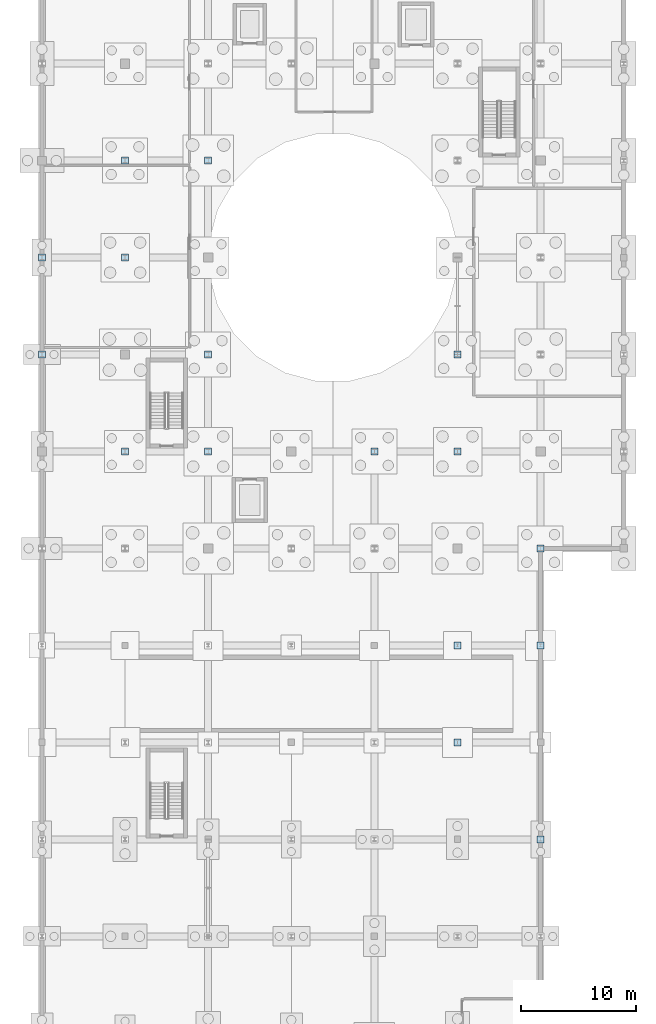
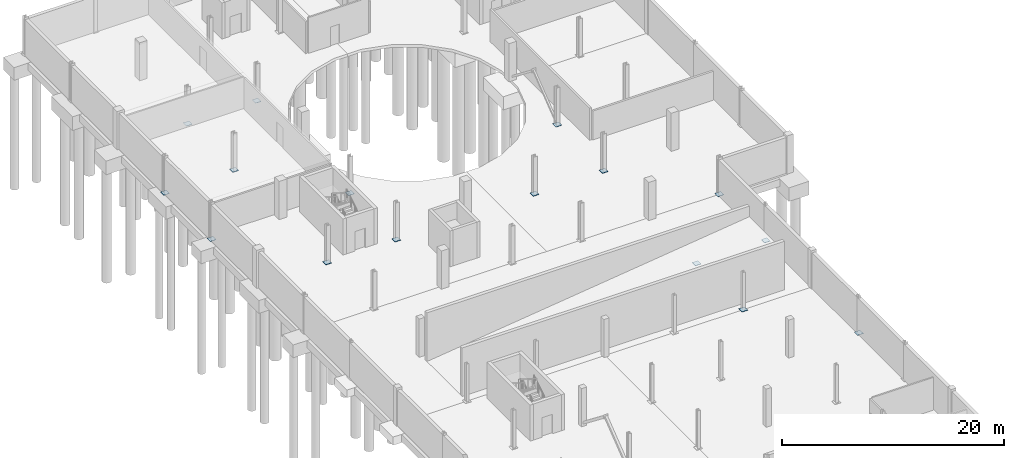
# One storey, part 19 of 32: 16 plates.
"""IFC4 building model written with IfcOpenShell, lengths in metres."""

from ifc_helpers import new_model, si_unit, direction, frame, origin, origin_2d, place, context, subcontext, project, spatial, rectangle, extrude, material, layer, layer_set, type_object, element, save


model = new_model("IFC4")

# Units and contexts
model_context = context("Model", 3, precision=1e-05, world=origin(), true_north=direction((0.0, 1.0)))
body_context = subcontext(model_context, "Body", "Model", "MODEL_VIEW")
ifc_project = project(units=[si_unit("LENGTHUNIT", "METRE"), si_unit("AREAUNIT", "SQUARE_METRE"), si_unit("VOLUMEUNIT", "CUBIC_METRE"), si_unit("PLANEANGLEUNIT", "RADIAN"), si_unit("MASSUNIT", "GRAM", prefix="KILO")], contexts=[model_context])

# Site, building, storey
site_placement = place(None, origin())
site = spatial("IfcSite", under=ifc_project, at=site_placement, CompositionType="ELEMENT")
building_placement = place(site_placement, origin())
building = spatial("IfcBuilding", under=site, at=building_placement, Name="Qelthora Terrace Specialist Clinic", CompositionType="ELEMENT")
storey_placement = place(building_placement, frame((0.0, 0.0, -4.199951171875)))
storey = spatial("IfcBuildingStorey", under=building, at=storey_placement, Name="B1", CompositionType="ELEMENT", Elevation=-4.199951171875)

# Plates
ifc_material = material(Name="Steel S355", Category="steel")
ifc_layer = layer(ifc_material, 0.030029296875)
ifc_layer_set = layer_set([ifc_layer], Name="Steel S355")
plate_type = type_object("IfcPlateType", Name="PLT-BASE-600X600X30", PredefinedType="USERDEFINED", material=ifc_layer_set)
for number, where, z_axis, x_axis, name in (
    (1, (0.0, 75.60009765625, 0.0), (0.0, 0.0, 1.0), (1.0, 0.0, 0.0), "Steel column base plate BPLT-007"),
    (2, (0.0, 84.0, 0.0), (0.0, 0.0, 1.0), (1.0, 0.0, 0.0), "Steel column base plate BPLT-008"),
    (3, (7.199951171875, 67.199951171875, 0.0), (0.0, 0.0, 1.0), (1.0, 0.0, 0.0), "Steel column base plate BPLT-016"),
    (4, (7.199951171875, 84.0, 0.0), (0.0, 0.0, 1.0), (1.0, 0.0, 0.0), "Steel column base plate BPLT-017"),
    (5, (7.199951171875, 92.39990234375, 0.0), (0.0, 0.0, 1.0), (1.0, 0.0, 0.0), "Steel column base plate BPLT-018"),
    (6, (14.39990234375, 67.199951171875, 0.0), (0.0, 0.0, 1.0), (1.0, 0.0, 0.0), "Steel column base plate BPLT-025"),
    (7, (14.39990234375, 75.60009765625, 0.0), (0.0, 0.0, 1.0), (1.0, 0.0, 0.0), "Steel column base plate BPLT-026"),
    (8, (14.39990234375, 92.39990234375, 0.0), (0.0, 0.0, 1.0), (1.0, 0.0, 0.0), "Steel column base plate BPLT-027"),
    (9, (28.800048828125, 67.199951171875, 0.0), (0.0, 0.0, 1.0), (1.0, 0.0, 0.0), "Steel column base plate BPLT-042"),
    (10, (36.0, 42.0, 0.0), (0.0, 0.0, 1.0), (1.0, 0.0, 0.0), "Steel column base plate BPLT-047"),
    (11, (36.0, 50.39990234375, 0.0), (0.0, 0.0, 1.0), (1.0, 0.0, 0.0), "Steel column base plate BPLT-048"),
    (12, (36.0, 67.199951171875, 0.0), (0.0, 0.0, 1.0), (1.0, 0.0, 0.0), "Steel column base plate BPLT-049"),
    (13, (36.0, 75.60009765625, 0.0), (0.0, 0.0, 1.0), (1.0, 0.0, 0.0), "Steel column base plate BPLT-050"),
    (14, (43.199951171875, 33.60009765625, 0.0), (0.0, 0.0, 1.0), (1.0, 0.0, 0.0), "Steel column base plate BPLT-056"),
    (15, (43.199951171875, 50.39990234375, 0.0), (0.0, 0.0, 1.0), (1.0, 0.0, 0.0), "Steel column base plate BPLT-057"),
    (16, (43.199951171875, 58.800048828125, 0.0), (0.0, 0.0, 1.0), (1.0, 0.0, 0.0), "Steel column base plate BPLT-058"),
):
    element("IfcPlate", number, at=place(storey_placement, frame(where, z_axis=z_axis, x_axis=x_axis)), inside=storey, type_object=plate_type, Name=name, ObjectType="GUSSET PLATE", PredefinedType="USERDEFINED", context=body_context, shape_type="SweptSolid", body=[
        extrude(rectangle(XDim=0.60009765625, YDim=0.60009765625, at=origin_2d()), origin(), (0.0, 0.0, 1.0), 0.030029296875),
    ])

save(model, "model.ifc")
